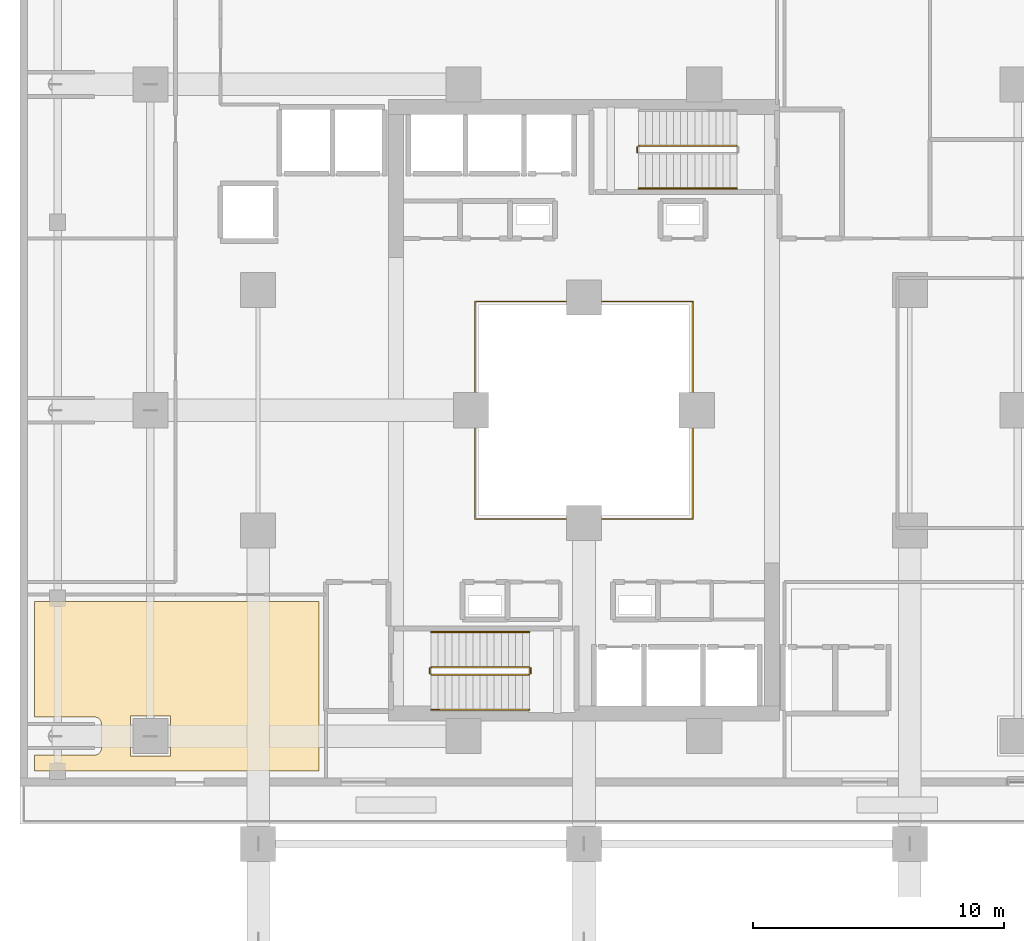
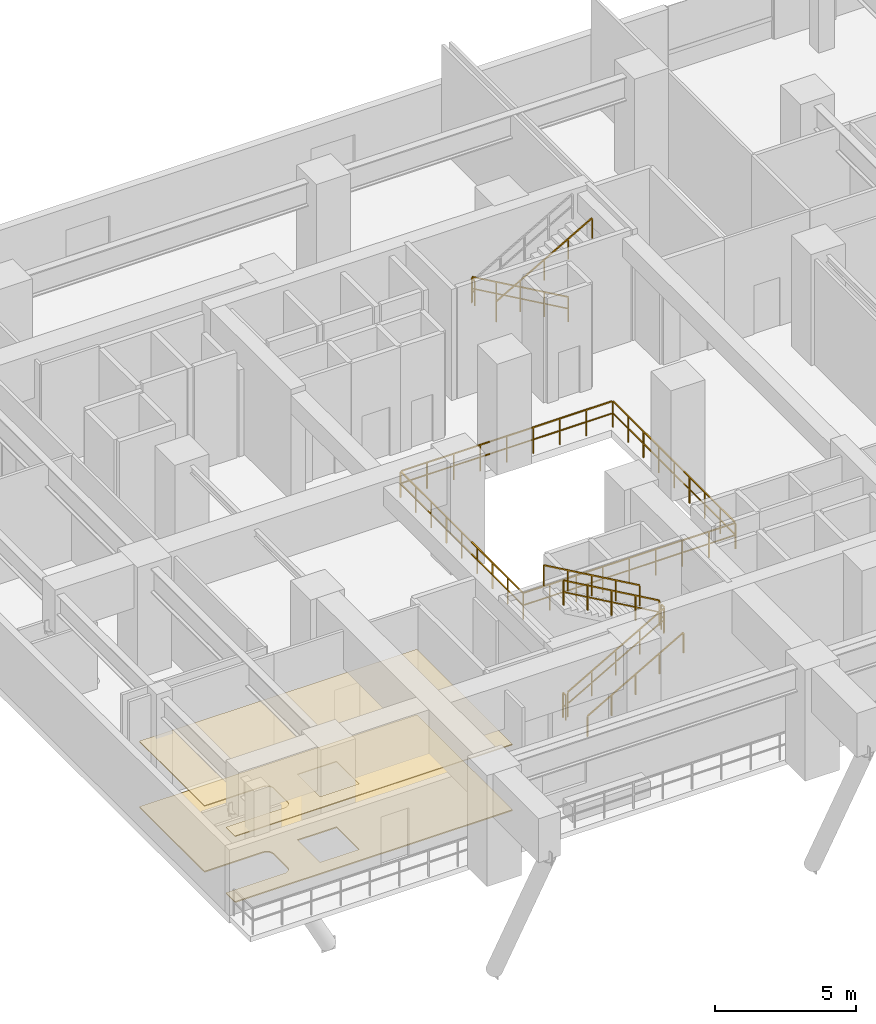
# One storey, part 22 of 25: 10 railings, 2 coverings.
"""IFC4 building model written with IfcOpenShell, lengths in metres."""

from ifc_helpers import new_model, si_unit, direction, frame, origin, origin_2d, place, context, subcontext, project, spatial, polyline, rectangle, outline, extrude, material, layer, layer_set, type_object, element, save


model = new_model("IFC4")

# Units and contexts
model_context = context("Model", 3, precision=1e-05, world=origin(), true_north=direction((0.0, 1.0)))
body_context = subcontext(model_context, "Body", "Model", "MODEL_VIEW")
ifc_project = project(units=[si_unit("LENGTHUNIT", "METRE"), si_unit("AREAUNIT", "SQUARE_METRE"), si_unit("VOLUMEUNIT", "CUBIC_METRE"), si_unit("PLANEANGLEUNIT", "RADIAN"), si_unit("MASSUNIT", "GRAM", prefix="KILO")], contexts=[model_context])

# Site, building, storey
site_placement = place(None, origin())
site = spatial("IfcSite", under=ifc_project, at=site_placement, CompositionType="ELEMENT")
building_placement = place(site_placement, origin())
building = spatial("IfcBuilding", under=site, at=building_placement, Name="Thornwick Lancets Civic Towers", CompositionType="ELEMENT")
storey_placement = place(building_placement, frame((0.0, 0.0, 23.10009765625)))
storey = spatial("IfcBuildingStorey", under=building, at=storey_placement, Name="L05", CompositionType="ELEMENT", Elevation=23.10009765625)

# Coverings
ifc_material_1 = material(Name="Perforated mineral acoustic ceiling tile")
ifc_layer_1 = layer(ifc_material_1, 0.0400390625, Name="Perforated mineral acoustic ceiling tile")
ifc_layer_set_1 = layer_set([ifc_layer_1], Name="Perforated mineral acoustic ceiling tile")
covering_type_1 = type_object("IfcCoveringType", Name="COV_CEIL_ACOUSTIC", PredefinedType="CEILING", material=ifc_layer_set_1)
covering_1_placement = place(storey_placement, frame((0.0, 0.0, 2.844970703125)))
element("IfcCovering", 1, at=covering_1_placement, inside=storey, type_object=covering_type_1, Name="L05 Ministry Policy Directorate West Ceiling", PredefinedType="CEILING", context=body_context, shape_type="SweptSolid", body=[
    extrude(outline(polyline([(14.919921875, 19.3701171875), (14.919921875, 12.60009765625), (3.580078125, 12.60009765625), (3.580078125, 13.239990234375), (5.96630859375, 13.239990234375), (5.99365234375, 13.2412109375), (6.02099609375, 13.245361328125), (6.047607421875, 13.252197265625), (6.073486328125, 13.26123046875), (6.098388671875, 13.273193359375), (6.121826171875, 13.287109375), (6.143798828125, 13.3037109375), (6.164306640625, 13.322021484375), (6.1826171875, 13.34228515625), (6.19921875, 13.364501953125), (6.213134765625, 13.387939453125), (6.22509765625, 13.412841796875), (6.234130859375, 13.438720703125), (6.240966796875, 13.46533203125), (6.2451171875, 13.49267578125), (6.246337890625, 13.52001953125), (6.246337890625, 14.47998046875), (6.2451171875, 14.50732421875), (6.240966796875, 14.53466796875), (6.234130859375, 14.561279296875), (6.22509765625, 14.587158203125), (6.213134765625, 14.612060546875), (6.19921875, 14.635498046875), (6.1826171875, 14.65771484375), (6.164306640625, 14.677978515625), (6.143798828125, 14.6962890625), (6.121826171875, 14.712890625), (6.098388671875, 14.726806640625), (6.073486328125, 14.73876953125), (6.047607421875, 14.747802734375), (6.02099609375, 14.754638671875), (5.99365234375, 14.7587890625), (5.96630859375, 14.760009765625), (3.580078125, 14.760009765625), (3.580078125, 19.3701171875), (14.919921875, 19.3701171875)]), holes=[polyline([(7.39990234375, 13.199951171875), (9.0, 13.199951171875), (9.0, 14.800048828125), (7.39990234375, 14.800048828125), (7.39990234375, 13.199951171875)])]), origin(), (0.0, 0.0, 1.0), 0.0400390625),
])
ifc_material_2 = material(Name="Calcium-sulfate raised access floor panel")
ifc_layer_2 = layer(ifc_material_2, 0.050048828125, Name="Calcium-sulfate raised access floor panel")
ifc_layer_set_2 = layer_set([ifc_layer_2], Name="Calcium-sulfate raised access floor panel")
covering_type_2 = type_object("IfcCoveringType", Name="COV_FLOOR_RAISED", PredefinedType="FLOORING", material=ifc_layer_set_2)
covering_2_placement = place(storey_placement, origin())
element("IfcCovering", 2, at=covering_2_placement, inside=storey, type_object=covering_type_2, Name="L05 Ministry Policy Directorate West Raised Access Flooring", PredefinedType="FLOORING", context=body_context, shape_type="SweptSolid", body=[
    extrude(outline(polyline([(14.919921875, 19.3701171875), (14.919921875, 12.60009765625), (3.580078125, 12.60009765625), (3.580078125, 13.239990234375), (5.96630859375, 13.239990234375), (5.99365234375, 13.2412109375), (6.02099609375, 13.245361328125), (6.047607421875, 13.252197265625), (6.073486328125, 13.26123046875), (6.098388671875, 13.273193359375), (6.121826171875, 13.287109375), (6.143798828125, 13.3037109375), (6.164306640625, 13.322021484375), (6.1826171875, 13.34228515625), (6.19921875, 13.364501953125), (6.213134765625, 13.387939453125), (6.22509765625, 13.412841796875), (6.234130859375, 13.438720703125), (6.240966796875, 13.46533203125), (6.2451171875, 13.49267578125), (6.246337890625, 13.52001953125), (6.246337890625, 14.47998046875), (6.2451171875, 14.50732421875), (6.240966796875, 14.53466796875), (6.234130859375, 14.561279296875), (6.22509765625, 14.587158203125), (6.213134765625, 14.612060546875), (6.19921875, 14.635498046875), (6.1826171875, 14.65771484375), (6.164306640625, 14.677978515625), (6.143798828125, 14.6962890625), (6.121826171875, 14.712890625), (6.098388671875, 14.726806640625), (6.073486328125, 14.73876953125), (6.047607421875, 14.747802734375), (6.02099609375, 14.754638671875), (5.99365234375, 14.7587890625), (5.96630859375, 14.760009765625), (3.580078125, 14.760009765625), (3.580078125, 19.3701171875), (14.919921875, 19.3701171875)]), holes=[polyline([(7.39990234375, 13.199951171875), (9.0, 13.199951171875), (9.0, 14.800048828125), (7.39990234375, 14.800048828125), (7.39990234375, 13.199951171875)])]), origin(), (0.0, 0.0, 1.0), 0.0498046875),
])

# Railings
ifc_material_3 = material(Name="Laminated glass and bronze steel S355", Category="steel")
railing_type_1 = type_object("IfcRailingType", Name="RAIL_ATRIUM_GUARD", PredefinedType="BALUSTRADE", material=ifc_material_3)
railing_1_placement = place(storey_placement, frame((21.159912109375, 22.659912109375, 0.0)))
element("IfcRailing", 3, at=railing_1_placement, inside=storey, type_object=railing_type_1, Name="L05 Tower A Central Atrium Guard Balustrade", PredefinedType="BALUSTRADE", context=body_context, shape_type="SweptSolid", body=[
    extrude(rectangle(XDim=0.048095703125, YDim=0.048095703125, at=origin_2d()), frame((0.0, 0.0, 1.1259765625), z_axis=(1.0, 0.0, 0.0), x_axis=(0.0, 1.0, 0.0)), (0.0, 0.0, 1.0), 8.64892578125),
    extrude(rectangle(XDim=0.0419921875, YDim=0.0419921875, at=origin_2d()), frame((0.03759765625, 0.0, 0.597900390625), z_axis=(1.0, 0.0, 0.0), x_axis=(0.0, 1.0, 0.0)), (0.0, 0.0, 1.0), 1.010009765625),
    extrude(rectangle(XDim=0.0419921875, YDim=0.0419921875, at=origin_2d()), frame((1.12255859375, 0.0, 0.597900390625), z_axis=(1.0, 0.0, 0.0), x_axis=(0.0, 1.0, 0.0)), (0.0, 0.0, 1.0), 1.010009765625),
    extrude(rectangle(XDim=0.0419921875, YDim=0.0419921875, at=origin_2d()), frame((2.20751953125, 0.0, 0.597900390625), z_axis=(1.0, 0.0, 0.0), x_axis=(0.0, 1.0, 0.0)), (0.0, 0.0, 1.0), 1.010009765625),
    extrude(rectangle(XDim=0.0419921875, YDim=0.0419921875, at=origin_2d()), frame((3.29248046875, 0.0, 0.597900390625), z_axis=(1.0, 0.0, 0.0), x_axis=(0.0, 1.0, 0.0)), (0.0, 0.0, 1.0), 1.010009765625),
    extrude(rectangle(XDim=0.0419921875, YDim=0.0419921875, at=origin_2d()), frame((4.377685546875, 0.0, 0.597900390625), z_axis=(1.0, 0.0, 0.0), x_axis=(0.0, 1.0, 0.0)), (0.0, 0.0, 1.0), 1.010009765625),
    extrude(rectangle(XDim=0.0419921875, YDim=0.0419921875, at=origin_2d()), frame((5.462646484375, 0.0, 0.597900390625), z_axis=(1.0, 0.0, 0.0), x_axis=(0.0, 1.0, 0.0)), (0.0, 0.0, 1.0), 1.010009765625),
    extrude(rectangle(XDim=0.0419921875, YDim=0.0419921875, at=origin_2d()), frame((6.547607421875, 0.0, 0.597900390625), z_axis=(1.0, 0.0, 0.0), x_axis=(0.0, 1.0, 0.0)), (0.0, 0.0, 1.0), 1.010009765625),
    extrude(rectangle(XDim=0.0419921875, YDim=0.0419921875, at=origin_2d()), frame((7.632568359375, 0.0, 0.597900390625), z_axis=(1.0, 0.0, 0.0), x_axis=(0.0, 1.0, 0.0)), (0.0, 0.0, 1.0), 1.010009765625),
    extrude(rectangle(XDim=0.048095703125, YDim=0.048095703125, at=origin_2d()), frame((8.68017578125, 0.03125, 1.1259765625), z_axis=(0.0, 1.0, 0.0), x_axis=(-1.0, 0.0, 0.0)), (0.0, 0.0, 1.0), 8.61767578125),
    extrude(rectangle(XDim=0.0419921875, YDim=0.0419921875, at=origin_2d()), frame((8.68017578125, 0.03759765625, 0.597900390625), z_axis=(0.0, 1.0, 0.0), x_axis=(-1.0, 0.0, 0.0)), (0.0, 0.0, 1.0), 1.010009765625),
    extrude(rectangle(XDim=0.0419921875, YDim=0.0419921875, at=origin_2d()), frame((8.68017578125, 1.12255859375, 0.597900390625), z_axis=(0.0, 1.0, 0.0), x_axis=(-1.0, 0.0, 0.0)), (0.0, 0.0, 1.0), 1.010009765625),
    extrude(rectangle(XDim=0.0419921875, YDim=0.0419921875, at=origin_2d()), frame((8.68017578125, 2.20751953125, 0.597900390625), z_axis=(0.0, 1.0, 0.0), x_axis=(-1.0, 0.0, 0.0)), (0.0, 0.0, 1.0), 1.010009765625),
    extrude(rectangle(XDim=0.0419921875, YDim=0.0419921875, at=origin_2d()), frame((8.68017578125, 3.29248046875, 0.597900390625), z_axis=(0.0, 1.0, 0.0), x_axis=(-1.0, 0.0, 0.0)), (0.0, 0.0, 1.0), 1.010009765625),
    extrude(rectangle(XDim=0.0419921875, YDim=0.0419921875, at=origin_2d()), frame((8.68017578125, 4.377685546875, 0.597900390625), z_axis=(0.0, 1.0, 0.0), x_axis=(-1.0, 0.0, 0.0)), (0.0, 0.0, 1.0), 1.010009765625),
    extrude(rectangle(XDim=0.0419921875, YDim=0.0419921875, at=origin_2d()), frame((8.68017578125, 5.462646484375, 0.597900390625), z_axis=(0.0, 1.0, 0.0), x_axis=(-1.0, 0.0, 0.0)), (0.0, 0.0, 1.0), 1.010009765625),
    extrude(rectangle(XDim=0.0419921875, YDim=0.0419921875, at=origin_2d()), frame((8.68017578125, 6.547607421875, 0.597900390625), z_axis=(0.0, 1.0, 0.0), x_axis=(-1.0, 0.0, 0.0)), (0.0, 0.0, 1.0), 1.010009765625),
    extrude(rectangle(XDim=0.0419921875, YDim=0.0419921875, at=origin_2d()), frame((8.68017578125, 7.632568359375, 0.597900390625), z_axis=(0.0, 1.0, 0.0), x_axis=(-1.0, 0.0, 0.0)), (0.0, 0.0, 1.0), 1.010009765625),
    extrude(rectangle(XDim=0.048095703125, YDim=0.048095703125, at=origin_2d()), frame((8.64892578125, 8.68017578125, 1.1259765625), z_axis=(-1.0, 0.0, 0.0), x_axis=(0.0, -1.0, 0.0)), (0.0, 0.0, 1.0), 8.61767578125),
    extrude(rectangle(XDim=0.0419921875, YDim=0.0419921875, at=origin_2d()), frame((8.642578125, 8.68017578125, 0.597900390625), z_axis=(-1.0, 0.0, 0.0), x_axis=(0.0, -1.0, 0.0)), (0.0, 0.0, 1.0), 1.010009765625),
    extrude(rectangle(XDim=0.0419921875, YDim=0.0419921875, at=origin_2d()), frame((7.5576171875, 8.68017578125, 0.597900390625), z_axis=(-1.0, 0.0, 0.0), x_axis=(0.0, -1.0, 0.0)), (0.0, 0.0, 1.0), 1.010009765625),
    extrude(rectangle(XDim=0.0419921875, YDim=0.0419921875, at=origin_2d()), frame((6.47265625, 8.68017578125, 0.597900390625), z_axis=(-1.0, 0.0, 0.0), x_axis=(0.0, -1.0, 0.0)), (0.0, 0.0, 1.0), 1.010009765625),
    extrude(rectangle(XDim=0.0419921875, YDim=0.0419921875, at=origin_2d()), frame((5.3876953125, 8.68017578125, 0.597900390625), z_axis=(-1.0, 0.0, 0.0), x_axis=(0.0, -1.0, 0.0)), (0.0, 0.0, 1.0), 1.010009765625),
    extrude(rectangle(XDim=0.0419921875, YDim=0.0419921875, at=origin_2d()), frame((4.302490234375, 8.68017578125, 0.597900390625), z_axis=(-1.0, 0.0, 0.0), x_axis=(0.0, -1.0, 0.0)), (0.0, 0.0, 1.0), 1.010009765625),
    extrude(rectangle(XDim=0.0419921875, YDim=0.0419921875, at=origin_2d()), frame((3.217529296875, 8.68017578125, 0.597900390625), z_axis=(-1.0, 0.0, 0.0), x_axis=(0.0, -1.0, 0.0)), (0.0, 0.0, 1.0), 1.010009765625),
    extrude(rectangle(XDim=0.0419921875, YDim=0.0419921875, at=origin_2d()), frame((2.132568359375, 8.68017578125, 0.597900390625), z_axis=(-1.0, 0.0, 0.0), x_axis=(0.0, -1.0, 0.0)), (0.0, 0.0, 1.0), 1.010009765625),
    extrude(rectangle(XDim=0.0419921875, YDim=0.0419921875, at=origin_2d()), frame((1.047607421875, 8.68017578125, 0.597900390625), z_axis=(-1.0, 0.0, 0.0), x_axis=(0.0, -1.0, 0.0)), (0.0, 0.0, 1.0), 1.010009765625),
    extrude(rectangle(XDim=0.048095703125, YDim=0.048095703125, at=origin_2d()), frame((0.0, 8.64892578125, 1.1259765625), z_axis=(0.0, -1.0, 0.0), x_axis=(1.0, 0.0, 0.0)), (0.0, 0.0, 1.0), 8.64892578125),
    extrude(rectangle(XDim=0.0419921875, YDim=0.0419921875, at=origin_2d()), frame((0.0, 8.642578125, 0.597900390625), z_axis=(0.0, -1.0, 0.0), x_axis=(1.0, 0.0, 0.0)), (0.0, 0.0, 1.0), 1.010009765625),
    extrude(rectangle(XDim=0.0419921875, YDim=0.0419921875, at=origin_2d()), frame((0.0, 7.5576171875, 0.597900390625), z_axis=(0.0, -1.0, 0.0), x_axis=(1.0, 0.0, 0.0)), (0.0, 0.0, 1.0), 1.010009765625),
    extrude(rectangle(XDim=0.0419921875, YDim=0.0419921875, at=origin_2d()), frame((0.0, 6.47265625, 0.597900390625), z_axis=(0.0, -1.0, 0.0), x_axis=(1.0, 0.0, 0.0)), (0.0, 0.0, 1.0), 1.010009765625),
    extrude(rectangle(XDim=0.0419921875, YDim=0.0419921875, at=origin_2d()), frame((0.0, 5.3876953125, 0.597900390625), z_axis=(0.0, -1.0, 0.0), x_axis=(1.0, 0.0, 0.0)), (0.0, 0.0, 1.0), 1.010009765625),
    extrude(rectangle(XDim=0.0419921875, YDim=0.0419921875, at=origin_2d()), frame((0.0, 4.302490234375, 0.597900390625), z_axis=(0.0, -1.0, 0.0), x_axis=(1.0, 0.0, 0.0)), (0.0, 0.0, 1.0), 1.010009765625),
    extrude(rectangle(XDim=0.0419921875, YDim=0.0419921875, at=origin_2d()), frame((0.0, 3.217529296875, 0.597900390625), z_axis=(0.0, -1.0, 0.0), x_axis=(1.0, 0.0, 0.0)), (0.0, 0.0, 1.0), 1.010009765625),
    extrude(rectangle(XDim=0.0419921875, YDim=0.0419921875, at=origin_2d()), frame((0.0, 2.132568359375, 0.597900390625), z_axis=(0.0, -1.0, 0.0), x_axis=(1.0, 0.0, 0.0)), (0.0, 0.0, 1.0), 1.010009765625),
    extrude(rectangle(XDim=0.0419921875, YDim=0.0419921875, at=origin_2d()), frame((0.0, 1.047607421875, 0.597900390625), z_axis=(0.0, -1.0, 0.0), x_axis=(1.0, 0.0, 0.0)), (0.0, 0.0, 1.0), 1.010009765625),
    extrude(rectangle(XDim=0.0419921875, YDim=0.0419921875, at=origin_2d()), origin(), (0.0, 0.0, 1.0), 1.095703125),
    extrude(rectangle(XDim=0.0419921875, YDim=0.0419921875, at=origin_2d()), frame((1.0849609375, 0.0, 0.0)), (0.0, 0.0, 1.0), 1.095703125),
    extrude(rectangle(XDim=0.0419921875, YDim=0.0419921875, at=origin_2d()), frame((2.169921875, 0.0, 0.0)), (0.0, 0.0, 1.0), 1.095703125),
    extrude(rectangle(XDim=0.0419921875, YDim=0.0419921875, at=origin_2d()), frame((3.255126953125, 0.0, 0.0)), (0.0, 0.0, 1.0), 1.095703125),
    extrude(rectangle(XDim=0.0419921875, YDim=0.0419921875, at=origin_2d()), frame((4.340087890625, 0.0, 0.0)), (0.0, 0.0, 1.0), 1.095703125),
    extrude(rectangle(XDim=0.0419921875, YDim=0.0419921875, at=origin_2d()), frame((5.425048828125, 0.0, 0.0)), (0.0, 0.0, 1.0), 1.095703125),
    extrude(rectangle(XDim=0.0419921875, YDim=0.0419921875, at=origin_2d()), frame((6.51025390625, 0.0, 0.0)), (0.0, 0.0, 1.0), 1.095703125),
    extrude(rectangle(XDim=0.0419921875, YDim=0.0419921875, at=origin_2d()), frame((7.59521484375, 0.0, 0.0)), (0.0, 0.0, 1.0), 1.095703125),
    extrude(rectangle(XDim=0.0419921875, YDim=0.0419921875, at=origin_2d()), frame((8.68017578125, 0.0, 0.0)), (0.0, 0.0, 1.0), 1.095703125),
    extrude(rectangle(XDim=0.0419921875, YDim=0.0419921875, at=origin_2d()), frame((8.68017578125, 1.0849609375, 0.0)), (0.0, 0.0, 1.0), 1.095703125),
    extrude(rectangle(XDim=0.0419921875, YDim=0.0419921875, at=origin_2d()), frame((8.68017578125, 2.169921875, 0.0)), (0.0, 0.0, 1.0), 1.095703125),
    extrude(rectangle(XDim=0.0419921875, YDim=0.0419921875, at=origin_2d()), frame((8.68017578125, 3.255126953125, 0.0)), (0.0, 0.0, 1.0), 1.095703125),
    extrude(rectangle(XDim=0.0419921875, YDim=0.0419921875, at=origin_2d()), frame((8.68017578125, 4.340087890625, 0.0)), (0.0, 0.0, 1.0), 1.095703125),
    extrude(rectangle(XDim=0.0419921875, YDim=0.0419921875, at=origin_2d()), frame((8.68017578125, 5.425048828125, 0.0)), (0.0, 0.0, 1.0), 1.095703125),
    extrude(rectangle(XDim=0.0419921875, YDim=0.0419921875, at=origin_2d()), frame((8.68017578125, 6.51025390625, 0.0)), (0.0, 0.0, 1.0), 1.095703125),
    extrude(rectangle(XDim=0.0419921875, YDim=0.0419921875, at=origin_2d()), frame((8.68017578125, 7.59521484375, 0.0)), (0.0, 0.0, 1.0), 1.095703125),
    extrude(rectangle(XDim=0.0419921875, YDim=0.0419921875, at=origin_2d()), frame((8.68017578125, 8.68017578125, 0.0)), (0.0, 0.0, 1.0), 1.095703125),
    extrude(rectangle(XDim=0.0419921875, YDim=0.0419921875, at=origin_2d()), frame((7.59521484375, 8.68017578125, 0.0)), (0.0, 0.0, 1.0), 1.095703125),
    extrude(rectangle(XDim=0.0419921875, YDim=0.0419921875, at=origin_2d()), frame((6.51025390625, 8.68017578125, 0.0)), (0.0, 0.0, 1.0), 1.095703125),
    extrude(rectangle(XDim=0.0419921875, YDim=0.0419921875, at=origin_2d()), frame((5.425048828125, 8.68017578125, 0.0)), (0.0, 0.0, 1.0), 1.095703125),
    extrude(rectangle(XDim=0.0419921875, YDim=0.0419921875, at=origin_2d()), frame((4.340087890625, 8.68017578125, 0.0)), (0.0, 0.0, 1.0), 1.095703125),
    extrude(rectangle(XDim=0.0419921875, YDim=0.0419921875, at=origin_2d()), frame((3.255126953125, 8.68017578125, 0.0)), (0.0, 0.0, 1.0), 1.095703125),
    extrude(rectangle(XDim=0.0419921875, YDim=0.0419921875, at=origin_2d()), frame((2.169921875, 8.68017578125, 0.0)), (0.0, 0.0, 1.0), 1.095703125),
    extrude(rectangle(XDim=0.0419921875, YDim=0.0419921875, at=origin_2d()), frame((1.0849609375, 8.68017578125, 0.0)), (0.0, 0.0, 1.0), 1.095703125),
    extrude(rectangle(XDim=0.0419921875, YDim=0.0419921875, at=origin_2d()), frame((0.0, 8.68017578125, 0.0)), (0.0, 0.0, 1.0), 1.095703125),
    extrude(rectangle(XDim=0.0419921875, YDim=0.0419921875, at=origin_2d()), frame((0.0, 7.59521484375, 0.0)), (0.0, 0.0, 1.0), 1.095703125),
    extrude(rectangle(XDim=0.0419921875, YDim=0.0419921875, at=origin_2d()), frame((0.0, 6.51025390625, 0.0)), (0.0, 0.0, 1.0), 1.095703125),
    extrude(rectangle(XDim=0.0419921875, YDim=0.0419921875, at=origin_2d()), frame((0.0, 5.425048828125, 0.0)), (0.0, 0.0, 1.0), 1.095703125),
    extrude(rectangle(XDim=0.0419921875, YDim=0.0419921875, at=origin_2d()), frame((0.0, 4.340087890625, 0.0)), (0.0, 0.0, 1.0), 1.095703125),
    extrude(rectangle(XDim=0.0419921875, YDim=0.0419921875, at=origin_2d()), frame((0.0, 3.255126953125, 0.0)), (0.0, 0.0, 1.0), 1.095703125),
    extrude(rectangle(XDim=0.0419921875, YDim=0.0419921875, at=origin_2d()), frame((0.0, 2.169921875, 0.0)), (0.0, 0.0, 1.0), 1.095703125),
    extrude(rectangle(XDim=0.0419921875, YDim=0.0419921875, at=origin_2d()), frame((0.0, 1.0849609375, 0.0)), (0.0, 0.0, 1.0), 1.095703125),
])
ifc_material_4 = material(Name="Brushed stainless steel S355", Category="steel")
railing_type_2 = type_object("IfcRailingType", Name="RAIL_HANDRAIL", PredefinedType="HANDRAIL", material=ifc_material_4)
railing_2_placement = place(storey_placement, frame((19.39990234375, 15.050048828125, 0.159912109375)))
element("IfcRailing", 4, at=railing_2_placement, inside=storey, type_object=railing_type_2, Name="L05 ST-A1 stair handrail 1", PredefinedType="HANDRAIL", context=body_context, shape_type="SweptSolid", body=[
    extrude(rectangle(XDim=0.048095703125, YDim=0.048095703125, at=origin_2d()), frame((0.0, 0.0, 0.8857421875), z_axis=(0.86825312469, 0.0, 0.496121468458), x_axis=(0.0, 1.0, 0.0)), (0.0, 0.0, 1.0), 4.514892578125),
    extrude(rectangle(XDim=0.0419921875, YDim=0.0419921875, at=origin_2d()), origin(), (0.0, 0.0, 1.0), 0.855712890625),
    extrude(rectangle(XDim=0.0419921875, YDim=0.0419921875, at=origin_2d()), frame((0.97998046875, 0.0, 0.56005859375)), (0.0, 0.0, 1.0), 0.855712890625),
    extrude(rectangle(XDim=0.0419921875, YDim=0.0419921875, at=origin_2d()), frame((1.9599609375, 0.0, 1.1201171875)), (0.0, 0.0, 1.0), 0.855712890625),
    extrude(rectangle(XDim=0.0419921875, YDim=0.0419921875, at=origin_2d()), frame((2.940185546875, 0.0, 1.679931640625)), (0.0, 0.0, 1.0), 0.855712890625),
    extrude(rectangle(XDim=0.0419921875, YDim=0.0419921875, at=origin_2d()), frame((3.920166015625, 0.0, 2.239990234375)), (0.0, 0.0, 1.0), 0.855712890625),
])
railing_3_placement = place(storey_placement, frame((23.320068359375, 18.14990234375, 2.559814453125)))
element("IfcRailing", 5, at=railing_3_placement, inside=storey, type_object=railing_type_2, Name="L05 ST-A1 stair handrail 2", PredefinedType="HANDRAIL", context=body_context, shape_type="SweptSolid", body=[
    extrude(rectangle(XDim=0.048095703125, YDim=0.048095703125, at=origin_2d()), frame((0.0, 0.0, 0.8857421875), z_axis=(-0.86825312469, 0.0, 0.496121468458), x_axis=(0.0, -1.0, 0.0)), (0.0, 0.0, 1.0), 4.514892578125),
    extrude(rectangle(XDim=0.0419921875, YDim=0.0419921875, at=origin_2d()), origin(), (0.0, 0.0, 1.0), 0.855712890625),
    extrude(rectangle(XDim=0.0419921875, YDim=0.0419921875, at=origin_2d()), frame((-0.97998046875, 0.0, 0.56005859375)), (0.0, 0.0, 1.0), 0.855712890625),
    extrude(rectangle(XDim=0.0419921875, YDim=0.0419921875, at=origin_2d()), frame((-1.9599609375, 0.0, 1.1201171875)), (0.0, 0.0, 1.0), 0.855712890625),
    extrude(rectangle(XDim=0.0419921875, YDim=0.0419921875, at=origin_2d()), frame((-2.940185546875, 0.0, 1.679931640625)), (0.0, 0.0, 1.0), 0.855712890625),
    extrude(rectangle(XDim=0.0419921875, YDim=0.0419921875, at=origin_2d()), frame((-3.920166015625, 0.0, 2.239990234375)), (0.0, 0.0, 1.0), 0.855712890625),
])
railing_4_placement = place(storey_placement, frame((27.679931640625, 35.85009765625, 2.559814453125)))
element("IfcRailing", 6, at=railing_4_placement, inside=storey, type_object=railing_type_2, Name="L05 ST-A2 stair handrail 2", PredefinedType="HANDRAIL", context=body_context, shape_type="SweptSolid", body=[
    extrude(rectangle(XDim=0.048095703125, YDim=0.048095703125, at=origin_2d()), frame((0.0, 0.0, 0.8857421875), z_axis=(0.86825312469, 0.0, 0.496121468458), x_axis=(0.0, 1.0, 0.0)), (0.0, 0.0, 1.0), 4.514892578125),
    extrude(rectangle(XDim=0.0419921875, YDim=0.0419921875, at=origin_2d()), origin(), (0.0, 0.0, 1.0), 0.855712890625),
    extrude(rectangle(XDim=0.0419921875, YDim=0.0419921875, at=origin_2d()), frame((0.97998046875, 0.0, 0.56005859375)), (0.0, 0.0, 1.0), 0.855712890625),
    extrude(rectangle(XDim=0.0419921875, YDim=0.0419921875, at=origin_2d()), frame((1.9599609375, 0.0, 1.1201171875)), (0.0, 0.0, 1.0), 0.855712890625),
    extrude(rectangle(XDim=0.0419921875, YDim=0.0419921875, at=origin_2d()), frame((2.940185546875, 0.0, 1.679931640625)), (0.0, 0.0, 1.0), 0.855712890625),
    extrude(rectangle(XDim=0.0419921875, YDim=0.0419921875, at=origin_2d()), frame((3.920166015625, 0.0, 2.239990234375)), (0.0, 0.0, 1.0), 0.855712890625),
])
ifc_material_5 = material(Name="Steel S355JR", Category="steel")
railing_type_3 = type_object("IfcRailingType", Name="RAIL_STAIR_GUARD", PredefinedType="GUARDRAIL", material=ifc_material_5)
railing_5_placement = place(storey_placement, frame((19.39990234375, 16.449951171875, 0.159912109375)))
element("IfcRailing", 7, at=railing_5_placement, inside=storey, type_object=railing_type_3, Name="L05 ST-A1 stair guard 1", PredefinedType="GUARDRAIL", context=body_context, shape_type="SweptSolid", body=[
    extrude(rectangle(XDim=0.048095703125, YDim=0.048095703125, at=origin_2d()), frame((0.0, 0.0, 1.076171875), z_axis=(0.86825312469, 0.0, 0.496121468458), x_axis=(0.0, 1.0, 0.0)), (0.0, 0.0, 1.0), 4.514892578125),
    extrude(rectangle(XDim=0.0419921875, YDim=0.0419921875, at=origin_2d()), frame((0.032470703125, 0.0, 0.590576171875), z_axis=(0.86825312469, 0.0, 0.496121468458), x_axis=(0.0, 1.0, 0.0)), (0.0, 0.0, 1.0), 1.0537109375),
    extrude(rectangle(XDim=0.0419921875, YDim=0.0419921875, at=origin_2d()), frame((1.0126953125, 0.0, 1.150634765625), z_axis=(0.86825312469, 0.0, 0.496121468458), x_axis=(0.0, 1.0, 0.0)), (0.0, 0.0, 1.0), 1.0537109375),
    extrude(rectangle(XDim=0.0419921875, YDim=0.0419921875, at=origin_2d()), frame((1.99267578125, 0.0, 1.710693359375), z_axis=(0.86825312469, 0.0, 0.496121468458), x_axis=(0.0, 1.0, 0.0)), (0.0, 0.0, 1.0), 1.0537109375),
    extrude(rectangle(XDim=0.0419921875, YDim=0.0419921875, at=origin_2d()), frame((2.97265625, 0.0, 2.270751953125), z_axis=(0.86825312469, 0.0, 0.496121468458), x_axis=(0.0, 1.0, 0.0)), (0.0, 0.0, 1.0), 1.0537109375),
    extrude(rectangle(XDim=0.0419921875, YDim=0.0419921875, at=origin_2d()), origin(), (0.0, 0.0, 1.0), 1.0458984375),
    extrude(rectangle(XDim=0.0419921875, YDim=0.0419921875, at=origin_2d()), frame((0.97998046875, 0.0, 0.56005859375)), (0.0, 0.0, 1.0), 1.0458984375),
    extrude(rectangle(XDim=0.0419921875, YDim=0.0419921875, at=origin_2d()), frame((1.9599609375, 0.0, 1.1201171875)), (0.0, 0.0, 1.0), 1.0458984375),
    extrude(rectangle(XDim=0.0419921875, YDim=0.0419921875, at=origin_2d()), frame((2.940185546875, 0.0, 1.679931640625)), (0.0, 0.0, 1.0), 1.0458984375),
    extrude(rectangle(XDim=0.0419921875, YDim=0.0419921875, at=origin_2d()), frame((3.920166015625, 0.0, 2.239990234375)), (0.0, 0.0, 1.0), 1.0458984375),
])
railing_6_placement = place(storey_placement, frame((23.3701171875, 16.5, 2.39990234375)))
element("IfcRailing", 8, at=railing_6_placement, inside=storey, type_object=railing_type_3, Name="L05 ST-A1 stair guard 2", PredefinedType="GUARDRAIL", context=body_context, shape_type="SweptSolid", body=[
    extrude(rectangle(XDim=0.048095703125, YDim=0.048095703125, at=origin_2d()), frame((0.0, 0.0, 1.076171875), z_axis=(0.0, 1.0, 0.0), x_axis=(-1.0, 0.0, 0.0)), (0.0, 0.0, 1.0), 0.199951171875),
    extrude(rectangle(XDim=0.0419921875, YDim=0.0419921875, at=origin_2d()), frame((0.0, 0.03759765625, 0.572021484375), z_axis=(0.0, 1.0, 0.0), x_axis=(-1.0, 0.0, 0.0)), (0.0, 0.0, 1.0), 0.125),
    extrude(rectangle(XDim=0.0419921875, YDim=0.0419921875, at=origin_2d()), origin(), (0.0, 0.0, 1.0), 1.0458984375),
    extrude(rectangle(XDim=0.0419921875, YDim=0.0419921875, at=origin_2d()), frame((0.0, 0.199951171875, 0.0)), (0.0, 0.0, 1.0), 1.0458984375),
])
railing_7_placement = place(storey_placement, frame((23.320068359375, 16.75, 2.559814453125)))
element("IfcRailing", 9, at=railing_7_placement, inside=storey, type_object=railing_type_3, Name="L05 ST-A1 stair guard 3", PredefinedType="GUARDRAIL", context=body_context, shape_type="SweptSolid", body=[
    extrude(rectangle(XDim=0.048095703125, YDim=0.048095703125, at=origin_2d()), frame((0.0, 0.0, 1.076171875), z_axis=(-0.86825312469, 0.0, 0.496121468458), x_axis=(0.0, -1.0, 0.0)), (0.0, 0.0, 1.0), 4.514892578125),
    extrude(rectangle(XDim=0.0419921875, YDim=0.0419921875, at=origin_2d()), frame((-0.032470703125, 0.0, 0.590576171875), z_axis=(-0.86825312469, 0.0, 0.496121468458), x_axis=(0.0, -1.0, 0.0)), (0.0, 0.0, 1.0), 1.0537109375),
    extrude(rectangle(XDim=0.0419921875, YDim=0.0419921875, at=origin_2d()), frame((-1.0126953125, 0.0, 1.150634765625), z_axis=(-0.86825312469, 0.0, 0.496121468458), x_axis=(0.0, -1.0, 0.0)), (0.0, 0.0, 1.0), 1.0537109375),
    extrude(rectangle(XDim=0.0419921875, YDim=0.0419921875, at=origin_2d()), frame((-1.99267578125, 0.0, 1.710693359375), z_axis=(-0.86825312469, 0.0, 0.496121468458), x_axis=(0.0, -1.0, 0.0)), (0.0, 0.0, 1.0), 1.0537109375),
    extrude(rectangle(XDim=0.0419921875, YDim=0.0419921875, at=origin_2d()), frame((-2.97265625, 0.0, 2.270751953125), z_axis=(-0.86825312469, 0.0, 0.496121468458), x_axis=(0.0, -1.0, 0.0)), (0.0, 0.0, 1.0), 1.0537109375),
    extrude(rectangle(XDim=0.0419921875, YDim=0.0419921875, at=origin_2d()), origin(), (0.0, 0.0, 1.0), 1.0458984375),
    extrude(rectangle(XDim=0.0419921875, YDim=0.0419921875, at=origin_2d()), frame((-0.97998046875, 0.0, 0.56005859375)), (0.0, 0.0, 1.0), 1.0458984375),
    extrude(rectangle(XDim=0.0419921875, YDim=0.0419921875, at=origin_2d()), frame((-1.9599609375, 0.0, 1.1201171875)), (0.0, 0.0, 1.0), 1.0458984375),
    extrude(rectangle(XDim=0.0419921875, YDim=0.0419921875, at=origin_2d()), frame((-2.940185546875, 0.0, 1.679931640625)), (0.0, 0.0, 1.0), 1.0458984375),
    extrude(rectangle(XDim=0.0419921875, YDim=0.0419921875, at=origin_2d()), frame((-3.920166015625, 0.0, 2.239990234375)), (0.0, 0.0, 1.0), 1.0458984375),
])
railing_8_placement = place(storey_placement, frame((19.35009765625, 16.5, 0.0)))
element("IfcRailing", 10, at=railing_8_placement, inside=storey, type_object=railing_type_3, Name="L05 ST-A1 stair guard 4", PredefinedType="GUARDRAIL", context=body_context, shape_type="SweptSolid", body=[
    extrude(rectangle(XDim=0.048095703125, YDim=0.048095703125, at=origin_2d()), frame((0.0, 0.0, 1.076171875), z_axis=(0.0, 1.0, 0.0), x_axis=(-1.0, 0.0, 0.0)), (0.0, 0.0, 1.0), 0.199951171875),
    extrude(rectangle(XDim=0.0419921875, YDim=0.0419921875, at=origin_2d()), frame((0.0, 0.03759765625, 0.572021484375), z_axis=(0.0, 1.0, 0.0), x_axis=(-1.0, 0.0, 0.0)), (0.0, 0.0, 1.0), 0.125),
    extrude(rectangle(XDim=0.0419921875, YDim=0.0419921875, at=origin_2d()), origin(), (0.0, 0.0, 1.0), 1.0458984375),
    extrude(rectangle(XDim=0.0419921875, YDim=0.0419921875, at=origin_2d()), frame((0.0, 0.199951171875, 0.0)), (0.0, 0.0, 1.0), 1.0458984375),
])
railing_9_placement = place(storey_placement, frame((31.60009765625, 37.550048828125, 0.159912109375)))
element("IfcRailing", 11, at=railing_9_placement, inside=storey, type_object=railing_type_3, Name="L05 ST-A2 stair guard 1", PredefinedType="GUARDRAIL", context=body_context, shape_type="SweptSolid", body=[
    extrude(rectangle(XDim=0.048095703125, YDim=0.048095703125, at=origin_2d()), frame((0.0, 0.0, 1.076171875), z_axis=(-0.86825312469, 0.0, 0.496121468458), x_axis=(0.0, -1.0, 0.0)), (0.0, 0.0, 1.0), 4.514892578125),
    extrude(rectangle(XDim=0.0419921875, YDim=0.0419921875, at=origin_2d()), frame((-0.032470703125, 0.0, 0.590576171875), z_axis=(-0.86825312469, 0.0, 0.496121468458), x_axis=(0.0, -1.0, 0.0)), (0.0, 0.0, 1.0), 1.0537109375),
    extrude(rectangle(XDim=0.0419921875, YDim=0.0419921875, at=origin_2d()), frame((-1.0126953125, 0.0, 1.150634765625), z_axis=(-0.86825312469, 0.0, 0.496121468458), x_axis=(0.0, -1.0, 0.0)), (0.0, 0.0, 1.0), 1.0537109375),
    extrude(rectangle(XDim=0.0419921875, YDim=0.0419921875, at=origin_2d()), frame((-1.99267578125, 0.0, 1.710693359375), z_axis=(-0.86825312469, 0.0, 0.496121468458), x_axis=(0.0, -1.0, 0.0)), (0.0, 0.0, 1.0), 1.0537109375),
    extrude(rectangle(XDim=0.0419921875, YDim=0.0419921875, at=origin_2d()), frame((-2.97265625, 0.0, 2.270751953125), z_axis=(-0.86825312469, 0.0, 0.496121468458), x_axis=(0.0, -1.0, 0.0)), (0.0, 0.0, 1.0), 1.0537109375),
    extrude(rectangle(XDim=0.0419921875, YDim=0.0419921875, at=origin_2d()), origin(), (0.0, 0.0, 1.0), 1.0458984375),
    extrude(rectangle(XDim=0.0419921875, YDim=0.0419921875, at=origin_2d()), frame((-0.97998046875, 0.0, 0.56005859375)), (0.0, 0.0, 1.0), 1.0458984375),
    extrude(rectangle(XDim=0.0419921875, YDim=0.0419921875, at=origin_2d()), frame((-1.9599609375, 0.0, 1.1201171875)), (0.0, 0.0, 1.0), 1.0458984375),
    extrude(rectangle(XDim=0.0419921875, YDim=0.0419921875, at=origin_2d()), frame((-2.940185546875, 0.0, 1.679931640625)), (0.0, 0.0, 1.0), 1.0458984375),
    extrude(rectangle(XDim=0.0419921875, YDim=0.0419921875, at=origin_2d()), frame((-3.920166015625, 0.0, 2.239990234375)), (0.0, 0.0, 1.0), 1.0458984375),
])
railing_10_placement = place(storey_placement, frame((27.6298828125, 37.5, 2.39990234375)))
element("IfcRailing", 12, at=railing_10_placement, inside=storey, type_object=railing_type_3, Name="L05 ST-A2 stair guard 2", PredefinedType="GUARDRAIL", context=body_context, shape_type="SweptSolid", body=[
    extrude(rectangle(XDim=0.048095703125, YDim=0.048095703125, at=origin_2d()), frame((0.0, 0.0, 1.076171875), z_axis=(0.0, -1.0, 0.0), x_axis=(1.0, 0.0, 0.0)), (0.0, 0.0, 1.0), 0.199951171875),
    extrude(rectangle(XDim=0.0419921875, YDim=0.0419921875, at=origin_2d()), frame((0.0, -0.03759765625, 0.572021484375), z_axis=(0.0, -1.0, 0.0), x_axis=(1.0, 0.0, 0.0)), (0.0, 0.0, 1.0), 0.125),
    extrude(rectangle(XDim=0.0419921875, YDim=0.0419921875, at=origin_2d()), origin(), (0.0, 0.0, 1.0), 1.0458984375),
    extrude(rectangle(XDim=0.0419921875, YDim=0.0419921875, at=origin_2d()), frame((0.0, -0.199951171875, 0.0)), (0.0, 0.0, 1.0), 1.0458984375),
])

save(model, "model.ifc")
